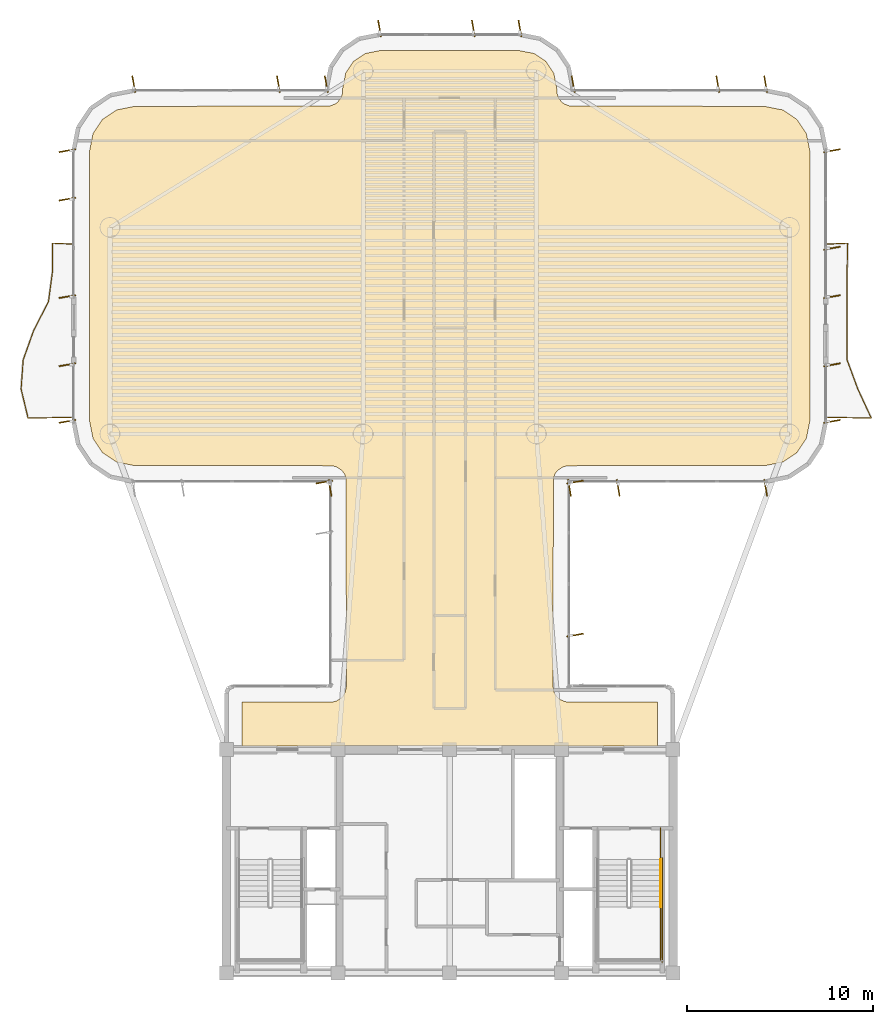
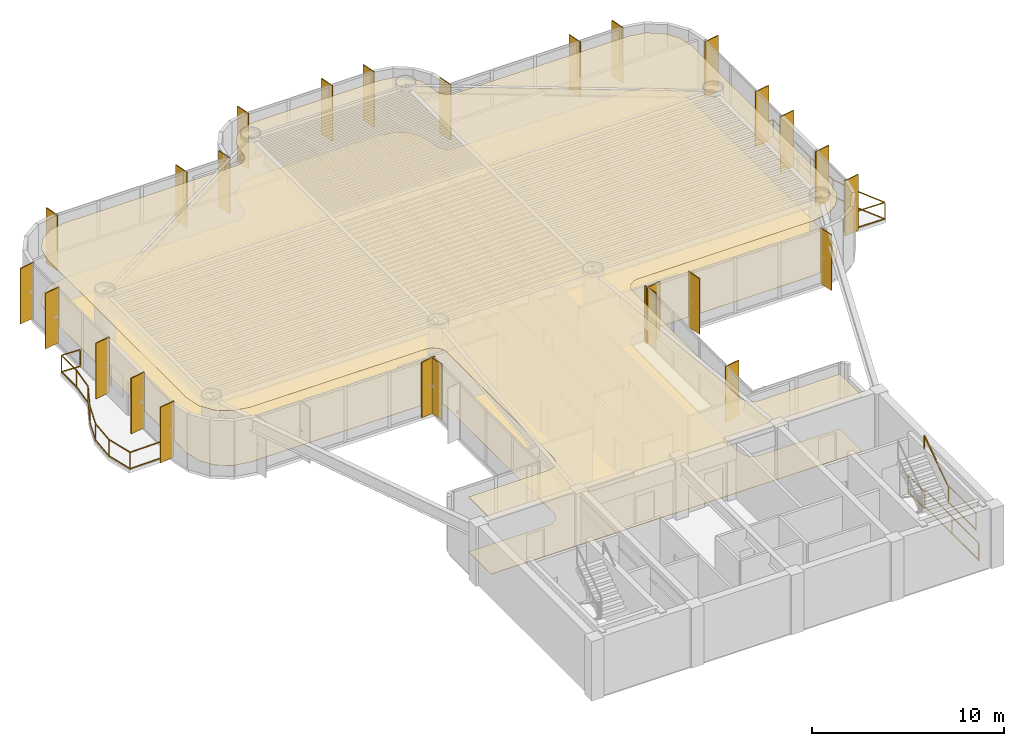
# One storey, part 13 of 13: 26 shading devices, 6 railings, 2 coverings.
"""IFC4 building model written with IfcOpenShell, lengths in metres."""

from ifc_helpers import new_model, si_unit, direction, frame, origin, origin_2d, place, context, subcontext, project, spatial, polyline, rectangle, outline, extrude, source, transform, mapped, material, layer, layer_set, material_profile, profile_set, type_object, element, save


model = new_model("IFC4")

# Units and contexts
model_context = context("Model", 3, precision=1e-05, world=origin(), true_north=direction((0.0, 1.0)))
body_context = subcontext(model_context, "Body", "Model", "MODEL_VIEW")
ifc_project = project(units=[si_unit("LENGTHUNIT", "METRE"), si_unit("AREAUNIT", "SQUARE_METRE"), si_unit("VOLUMEUNIT", "CUBIC_METRE"), si_unit("PLANEANGLEUNIT", "RADIAN"), si_unit("MASSUNIT", "GRAM", prefix="KILO")], contexts=[model_context])

# Site, building, storey
site_placement = place(None, origin())
site = spatial("IfcSite", under=ifc_project, at=site_placement, CompositionType="ELEMENT")
building_placement = place(site_placement, origin())
building = spatial("IfcBuilding", under=site, at=building_placement, Name="Brelvock Crest Care Tower", CompositionType="ELEMENT")
storey_placement = place(building_placement, frame((0.0, 0.0, 186.659912109375)))
storey = spatial("IfcBuildingStorey", under=building, at=storey_placement, Name="L47", CompositionType="ELEMENT", Elevation=186.659912109375)

# Coverings
ifc_material_1 = material(Name="Mineral Fibre Acoustic Ceiling Tile", Category="gypsum")
ifc_layer_1 = layer(ifc_material_1, 0.02490234375, Name="COV-CLG1")
ifc_layer_set_1 = layer_set([ifc_layer_1], Name="Mineral Fibre Acoustic Ceiling Tile")
covering_type_1 = type_object("IfcCoveringType", Name="COV-CLG1", PredefinedType="CEILING", material=ifc_layer_set_1)
covering_1_placement = place(storey_placement, frame((0.0, 0.0, 3.47509765625)))
element("IfcCovering", 1, at=covering_1_placement, inside=storey, type_object=covering_type_1, Name="L47 Acoustic Suspended Ceiling 1", PredefinedType="CEILING", context=body_context, shape_type="SweptSolid", body=[
    extrude(outline(polyline([(24.85009765625, 18.199951171875), (47.14990234375, 18.199951171875), (47.14990234375, 20.550048828125), (42.316650390625, 20.55419921875), (42.1533203125, 20.586669921875), (41.927734375, 20.693359375), (41.742919921875, 20.86083984375), (41.61474609375, 21.07470703125), (41.550048828125, 21.39990234375), (41.56640625, 32.56591796875), (41.650390625, 32.80078125), (41.799072265625, 33.0009765625), (42.07470703125, 33.185302734375), (42.316650390625, 33.245849609375), (52.916259765625, 33.25), (53.892822265625, 33.4443359375), (54.64990234375, 33.9501953125), (55.15576171875, 34.70703125), (55.35009765625, 35.68359375), (55.35009765625, 50.1162109375), (55.15576171875, 51.093017578125), (54.64990234375, 51.849853515625), (53.892822265625, 52.355712890625), (52.916259765625, 52.550048828125), (42.43408203125, 52.56640625), (42.127685546875, 52.693359375), (41.9990234375, 52.799072265625), (41.850341796875, 52.999267578125), (41.766357421875, 53.234130859375), (41.75, 53.516357421875), (41.586181640625, 54.33984375), (41.1669921875, 54.967041015625), (40.539794921875, 55.38623046875), (39.71630859375, 55.550048828125), (32.28369140625, 55.550048828125), (31.460205078125, 55.38623046875), (30.8330078125, 54.967041015625), (30.413818359375, 54.33984375), (30.25, 53.516357421875), (30.233642578125, 53.234130859375), (30.149658203125, 52.999267578125), (30.0009765625, 52.799072265625), (29.872314453125, 52.693359375), (29.56591796875, 52.56640625), (19.083740234375, 52.550048828125), (18.107177734375, 52.355712890625), (17.35009765625, 51.849853515625), (16.84423828125, 51.093017578125), (16.64990234375, 50.1162109375), (16.64990234375, 35.68359375), (16.84423828125, 34.70703125), (17.35009765625, 33.9501953125), (18.107177734375, 33.4443359375), (19.083740234375, 33.25), (29.683349609375, 33.245849609375), (29.92529296875, 33.185302734375), (30.200927734375, 33.0009765625), (30.349609375, 32.80078125), (30.43359375, 32.56591796875), (30.449951171875, 21.39990234375), (30.38525390625, 21.07470703125), (30.257080078125, 20.86083984375), (30.13916015625, 20.742919921875), (29.92529296875, 20.61474609375), (29.683349609375, 20.55419921875), (24.85009765625, 20.550048828125), (24.85009765625, 18.199951171875)])), origin(), (0.0, 0.0, 1.0), 0.02490234375),
])
ifc_material_2 = material(Name="Slip-Resistant Acoustic Vinyl Flooring", Category="finish")
ifc_layer_2 = layer(ifc_material_2, 0.014892578125, Name="COV-FLR1")
ifc_layer_set_2 = layer_set([ifc_layer_2], Name="Slip-Resistant Acoustic Vinyl Flooring")
covering_type_2 = type_object("IfcCoveringType", Name="COV-FLR1", PredefinedType="FLOORING", material=ifc_layer_set_2)
covering_2_placement = place(storey_placement, origin())
element("IfcCovering", 2, at=covering_2_placement, inside=storey, type_object=covering_type_2, Name="L47 Slip-Resistant Acoustic Flooring 1", PredefinedType="FLOORING", context=body_context, shape_type="SweptSolid", body=[
    extrude(outline(polyline([(24.85009765625, 18.199951171875), (47.14990234375, 18.199951171875), (47.14990234375, 20.550048828125), (42.316650390625, 20.55419921875), (42.1533203125, 20.586669921875), (41.927734375, 20.693359375), (41.742919921875, 20.86083984375), (41.61474609375, 21.07470703125), (41.550048828125, 21.39990234375), (41.56640625, 32.56591796875), (41.650390625, 32.80078125), (41.799072265625, 33.0009765625), (42.07470703125, 33.185302734375), (42.316650390625, 33.245849609375), (52.916259765625, 33.25), (53.892822265625, 33.4443359375), (54.64990234375, 33.9501953125), (55.15576171875, 34.70703125), (55.35009765625, 35.68359375), (55.35009765625, 50.1162109375), (55.15576171875, 51.093017578125), (54.64990234375, 51.849853515625), (53.892822265625, 52.355712890625), (52.916259765625, 52.550048828125), (42.43408203125, 52.56640625), (42.127685546875, 52.693359375), (41.9990234375, 52.799072265625), (41.850341796875, 52.999267578125), (41.766357421875, 53.234130859375), (41.75, 53.516357421875), (41.586181640625, 54.33984375), (41.1669921875, 54.967041015625), (40.539794921875, 55.38623046875), (39.71630859375, 55.550048828125), (32.28369140625, 55.550048828125), (31.460205078125, 55.38623046875), (30.8330078125, 54.967041015625), (30.413818359375, 54.33984375), (30.25, 53.516357421875), (30.233642578125, 53.234130859375), (30.149658203125, 52.999267578125), (30.0009765625, 52.799072265625), (29.872314453125, 52.693359375), (29.56591796875, 52.56640625), (19.083740234375, 52.550048828125), (18.107177734375, 52.355712890625), (17.35009765625, 51.849853515625), (16.84423828125, 51.093017578125), (16.64990234375, 50.1162109375), (16.64990234375, 35.68359375), (16.84423828125, 34.70703125), (17.35009765625, 33.9501953125), (18.107177734375, 33.4443359375), (19.083740234375, 33.25), (29.683349609375, 33.245849609375), (29.92529296875, 33.185302734375), (30.200927734375, 33.0009765625), (30.349609375, 32.80078125), (30.43359375, 32.56591796875), (30.449951171875, 21.39990234375), (30.38525390625, 21.07470703125), (30.257080078125, 20.86083984375), (30.13916015625, 20.742919921875), (29.92529296875, 20.61474609375), (29.683349609375, 20.55419921875), (24.85009765625, 20.550048828125), (24.85009765625, 18.199951171875)])), origin(), (0.0, 0.0, 1.0), 0.01513671875),
])

# Railings
ifc_material_3 = material(Name="Dark Glass Double Glazed Low-E", Category="glass")
ifc_layer_3 = layer(ifc_material_3, 0.06005859375, Name="RL-BAL1")
ifc_layer_set_3 = layer_set([ifc_layer_3], Name="Dark Glass Double Glazed Low-E")
railing_type_1 = type_object("IfcRailingType", Name="RL-BAL1", PredefinedType="BALUSTRADE", material=ifc_layer_set_3)
railing_1_placement = place(storey_placement, frame((15.760009765625, 35.85009765625, 0.004150390625)))
element("IfcRailing", 3, at=railing_1_placement, inside=storey, type_object=railing_type_1, Name="L47 Safety Balustrade WB-W", PredefinedType="BALUSTRADE", context=body_context, shape_type="SweptSolid", body=[
    extrude(rectangle(XDim=0.048095703125, YDim=0.048095703125, at=origin_2d()), frame((-0.001953125, 0.0, 1.09619140625), z_axis=(-0.999783452903, -0.020809788592, 0.0), x_axis=(0.020809788592, -0.999783452903, 0.0)), (0.0, 0.0, 1.0), 2.401123046875),
    extrude(rectangle(XDim=0.048095703125, YDim=0.048095703125, at=origin_2d()), frame((-0.001953125, 0.0, 0.054931640625), z_axis=(-0.999783452903, -0.020809788592, 0.0), x_axis=(0.020809788592, -0.999783452903, 0.0)), (0.0, 0.0, 1.0), 2.401123046875),
    extrude(rectangle(XDim=0.048095703125, YDim=0.048095703125, at=origin_2d()), frame((-2.405029296875, -0.048095703125, 1.09619140625), z_axis=(-0.233361490021, 0.972390052898, 0.0), x_axis=(-0.972390052898, -0.233361490021, 0.0)), (0.0, 0.0, 1.0), 1.607177734375),
    extrude(rectangle(XDim=0.048095703125, YDim=0.048095703125, at=origin_2d()), frame((-2.405029296875, -0.048095703125, 0.054931640625), z_axis=(-0.233361490021, 0.972390052898, 0.0), x_axis=(-0.972390052898, -0.233361490021, 0.0)), (0.0, 0.0, 1.0), 1.607177734375),
    extrude(rectangle(XDim=0.048095703125, YDim=0.048095703125, at=origin_2d()), frame((-2.7802734375, 1.5185546875, 1.09619140625), z_axis=(0.071346467425, 0.997451593605, 0.0), x_axis=(-0.997451593605, 0.071346467425, 0.0)), (0.0, 0.0, 1.0), 1.566650390625),
    extrude(rectangle(XDim=0.048095703125, YDim=0.048095703125, at=origin_2d()), frame((-2.7802734375, 1.5185546875, 0.054931640625), z_axis=(0.071346467425, 0.997451593605, 0.0), x_axis=(-0.997451593605, 0.071346467425, 0.0)), (0.0, 0.0, 1.0), 1.566650390625),
    extrude(rectangle(XDim=0.048095703125, YDim=0.048095703125, at=origin_2d()), frame((-2.667724609375, 3.085205078125, 1.09619140625), z_axis=(0.335973745247, 0.941871351356, 0.0), x_axis=(-0.941871351356, 0.335973745247, 0.0)), (0.0, 0.0, 1.0), 1.659423828125),
    extrude(rectangle(XDim=0.048095703125, YDim=0.048095703125, at=origin_2d()), frame((-2.667724609375, 3.085205078125, 0.054931640625), z_axis=(0.335973745247, 0.941871351356, 0.0), x_axis=(-0.941871351356, 0.335973745247, 0.0)), (0.0, 0.0, 1.0), 1.659423828125),
    extrude(rectangle(XDim=0.048095703125, YDim=0.048095703125, at=origin_2d()), frame((-2.108642578125, 4.651611328125, 1.09619140625), z_axis=(0.4551330635, 0.890423435512, 0.0), x_axis=(-0.890423435512, 0.4551330635, 0.0)), (0.0, 0.0, 1.0), 1.75537109375),
    extrude(rectangle(XDim=0.048095703125, YDim=0.048095703125, at=origin_2d()), frame((-2.108642578125, 4.651611328125, 0.054931640625), z_axis=(0.4551330635, 0.890423435512, 0.0), x_axis=(-0.890423435512, 0.4551330635, 0.0)), (0.0, 0.0, 1.0), 1.75537109375),
    extrude(rectangle(XDim=0.048095703125, YDim=0.048095703125, at=origin_2d()), frame((-1.30859375, 6.218505859375, 1.09619140625), z_axis=(0.132072655877, 0.99124003832, 0.0), x_axis=(-0.99124003832, 0.132072655877, 0.0)), (0.0, 0.0, 1.0), 1.576416015625),
    extrude(rectangle(XDim=0.048095703125, YDim=0.048095703125, at=origin_2d()), frame((-1.30859375, 6.218505859375, 0.054931640625), z_axis=(0.132072655877, 0.99124003832, 0.0), x_axis=(-0.99124003832, 0.132072655877, 0.0)), (0.0, 0.0, 1.0), 1.576416015625),
    extrude(rectangle(XDim=0.048095703125, YDim=0.048095703125, at=origin_2d()), frame((-1.10009765625, 7.78515625, 1.09619140625), z_axis=(0.0, 1.0, 0.0), x_axis=(-1.0, 0.0, 0.0)), (0.0, 0.0, 1.0), 1.562744140625),
    extrude(rectangle(XDim=0.048095703125, YDim=0.048095703125, at=origin_2d()), frame((-1.10009765625, 7.78515625, 0.054931640625), z_axis=(0.0, 1.0, 0.0), x_axis=(-1.0, 0.0, 0.0)), (0.0, 0.0, 1.0), 1.562744140625),
    extrude(rectangle(XDim=0.048095703125, YDim=0.048095703125, at=origin_2d()), frame((-1.09814453125, 9.349853515625, 1.09619140625), z_axis=(0.998966710972, -0.045447886318, 0.0), x_axis=(0.045447886318, 0.998966710972, 0.0)), (0.0, 0.0, 1.0), 1.09716796875),
    extrude(rectangle(XDim=0.048095703125, YDim=0.048095703125, at=origin_2d()), frame((-1.09814453125, 9.349853515625, 0.054931640625), z_axis=(0.998966710972, -0.045447886318, 0.0), x_axis=(0.045447886318, 0.998966710972, 0.0)), (0.0, 0.0, 1.0), 1.09716796875),
    extrude(rectangle(XDim=0.0419921875, YDim=0.0419921875, at=origin_2d()), origin(), (0.0, 0.0, 1.0), 1.070068359375),
    extrude(rectangle(XDim=0.0419921875, YDim=0.0419921875, at=origin_2d()), frame((-2.404541015625, -0.050048828125, 0.0)), (0.0, 0.0, 1.0), 1.070068359375),
    extrude(rectangle(XDim=0.0419921875, YDim=0.0419921875, at=origin_2d()), frame((-2.780517578125, 1.5166015625, 0.0)), (0.0, 0.0, 1.0), 1.070068359375),
    extrude(rectangle(XDim=0.0419921875, YDim=0.0419921875, at=origin_2d()), frame((-2.66845703125, 3.083251953125, 0.0)), (0.0, 0.0, 1.0), 1.070068359375),
    extrude(rectangle(XDim=0.0419921875, YDim=0.0419921875, at=origin_2d()), frame((-2.109619140625, 4.64990234375, 0.0)), (0.0, 0.0, 1.0), 1.070068359375),
    extrude(rectangle(XDim=0.0419921875, YDim=0.0419921875, at=origin_2d()), frame((-1.308837890625, 6.216552734375, 0.0)), (0.0, 0.0, 1.0), 1.070068359375),
    extrude(rectangle(XDim=0.0419921875, YDim=0.0419921875, at=origin_2d()), frame((-1.10009765625, 7.783203125, 0.0)), (0.0, 0.0, 1.0), 1.070068359375),
    extrude(rectangle(XDim=0.0419921875, YDim=0.0419921875, at=origin_2d()), frame((-1.10009765625, 9.349853515625, 0.0)), (0.0, 0.0, 1.0), 1.070068359375),
    extrude(rectangle(XDim=0.0419921875, YDim=0.0419921875, at=origin_2d()), frame((0.0, 9.2998046875, 0.0)), (0.0, 0.0, 1.0), 1.070068359375),
])
railing_2_placement = place(storey_placement, frame((56.239990234375, 35.85009765625, 0.004150390625)))
element("IfcRailing", 4, at=railing_2_placement, inside=storey, type_object=railing_type_1, Name="L47 Safety Balustrade WB-E", PredefinedType="BALUSTRADE", context=body_context, shape_type="SweptSolid", body=[
    extrude(rectangle(XDim=0.048095703125, YDim=0.048095703125, at=origin_2d()), frame((0.001953125, 0.0, 1.09619140625), z_axis=(0.999783452903, -0.020809788592, 0.0), x_axis=(0.020809788592, 0.999783452903, 0.0)), (0.0, 0.0, 1.0), 2.401123046875),
    extrude(rectangle(XDim=0.048095703125, YDim=0.048095703125, at=origin_2d()), frame((0.001953125, 0.0, 0.054931640625), z_axis=(0.999783452903, -0.020809788592, 0.0), x_axis=(0.020809788592, 0.999783452903, 0.0)), (0.0, 0.0, 1.0), 2.401123046875),
    extrude(rectangle(XDim=0.048095703125, YDim=0.048095703125, at=origin_2d()), frame((2.40380859375, -0.04833984375, 1.09619140625), z_axis=(-0.42037583984, 0.907350072066, 0.0), x_axis=(-0.907350072066, -0.42037583984, 0.0)), (0.0, 0.0, 1.0), 1.72265625),
    extrude(rectangle(XDim=0.048095703125, YDim=0.048095703125, at=origin_2d()), frame((2.40380859375, -0.04833984375, 0.054931640625), z_axis=(-0.42037583984, 0.907350072066, 0.0), x_axis=(-0.907350072066, -0.42037583984, 0.0)), (0.0, 0.0, 1.0), 1.72265625),
    extrude(rectangle(XDim=0.048095703125, YDim=0.048095703125, at=origin_2d()), frame((1.677978515625, 1.5185546875, 1.09619140625), z_axis=(-0.346457206502, 0.938065778111, 0.0), x_axis=(-0.938065778111, -0.346457206502, 0.0)), (0.0, 0.0, 1.0), 1.666015625),
    extrude(rectangle(XDim=0.048095703125, YDim=0.048095703125, at=origin_2d()), frame((1.677978515625, 1.5185546875, 0.054931640625), z_axis=(-0.346457206502, 0.938065778111, 0.0), x_axis=(-0.938065778111, -0.346457206502, 0.0)), (0.0, 0.0, 1.0), 1.666015625),
    extrude(rectangle(XDim=0.048095703125, YDim=0.048095703125, at=origin_2d()), frame((1.10009765625, 3.085205078125, 1.09619140625), z_axis=(0.0, 1.0, 0.0), x_axis=(-1.0, 0.0, 0.0)), (0.0, 0.0, 1.0), 4.696044921875),
    extrude(rectangle(XDim=0.048095703125, YDim=0.048095703125, at=origin_2d()), frame((1.10009765625, 3.085205078125, 0.054931640625), z_axis=(0.0, 1.0, 0.0), x_axis=(-1.0, 0.0, 0.0)), (0.0, 0.0, 1.0), 4.696044921875),
    extrude(rectangle(XDim=0.048095703125, YDim=0.048095703125, at=origin_2d()), frame((1.10009765625, 7.78515625, 1.09619140625), z_axis=(0.022123304576, 0.999755249746, 0.0), x_axis=(-0.999755249746, 0.022123304576, 0.0)), (0.0, 0.0, 1.0), 1.56298828125),
    extrude(rectangle(XDim=0.048095703125, YDim=0.048095703125, at=origin_2d()), frame((1.10009765625, 7.78515625, 0.054931640625), z_axis=(0.022123304576, 0.999755249746, 0.0), x_axis=(-0.999755249746, 0.022123304576, 0.0)), (0.0, 0.0, 1.0), 1.56298828125),
    extrude(rectangle(XDim=0.048095703125, YDim=0.048095703125, at=origin_2d()), frame((1.1328125, 9.349853515625, 1.09619140625), z_axis=(-0.99902879157, -0.044062156255, 0.0), x_axis=(0.044062156255, -0.99902879157, 0.0)), (0.0, 0.0, 1.0), 1.1318359375),
    extrude(rectangle(XDim=0.048095703125, YDim=0.048095703125, at=origin_2d()), frame((1.1328125, 9.349853515625, 0.054931640625), z_axis=(-0.99902879157, -0.044062156255, 0.0), x_axis=(0.044062156255, -0.99902879157, 0.0)), (0.0, 0.0, 1.0), 1.1318359375),
    extrude(rectangle(XDim=0.0419921875, YDim=0.0419921875, at=origin_2d()), origin(), (0.0, 0.0, 1.0), 1.070068359375),
    extrude(rectangle(XDim=0.0419921875, YDim=0.0419921875, at=origin_2d()), frame((2.404541015625, -0.050048828125, 0.0)), (0.0, 0.0, 1.0), 1.070068359375),
    extrude(rectangle(XDim=0.0419921875, YDim=0.0419921875, at=origin_2d()), frame((1.6787109375, 1.5166015625, 0.0)), (0.0, 0.0, 1.0), 1.070068359375),
    extrude(rectangle(XDim=0.0419921875, YDim=0.0419921875, at=origin_2d()), frame((1.10009765625, 3.083251953125, 0.0)), (0.0, 0.0, 1.0), 1.070068359375),
    extrude(rectangle(XDim=0.0419921875, YDim=0.0419921875, at=origin_2d()), frame((1.10009765625, 5.43310546875, 0.0)), (0.0, 0.0, 1.0), 1.070068359375),
    extrude(rectangle(XDim=0.0419921875, YDim=0.0419921875, at=origin_2d()), frame((1.10009765625, 7.783203125, 0.0)), (0.0, 0.0, 1.0), 1.070068359375),
    extrude(rectangle(XDim=0.0419921875, YDim=0.0419921875, at=origin_2d()), frame((1.134765625, 9.349853515625, 0.0)), (0.0, 0.0, 1.0), 1.070068359375),
    extrude(rectangle(XDim=0.0419921875, YDim=0.0419921875, at=origin_2d()), frame((0.0, 9.2998046875, 0.0)), (0.0, 0.0, 1.0), 1.070068359375),
])
ifc_material_4 = material(Name="Steel Grade 350", Category="steel")
ifc_layer_4 = layer(ifc_material_4, 0.050048828125, Name="RL-STG1")
ifc_layer_set_4 = layer_set([ifc_layer_4], Name="Steel Grade 350")
railing_type_2 = type_object("IfcRailingType", Name="RL-STG1", PredefinedType="GUARDRAIL", material=ifc_layer_set_4)
railing_3_placement = place(storey_placement, frame((47.320068359375, 9.56005859375, 1.89013671875)))
element("IfcRailing", 5, at=railing_3_placement, inside=storey, type_object=railing_type_2, Name="L47 ST-2 stair guard 4", PredefinedType="GUARDRAIL", context=body_context, shape_type="SweptSolid", body=[
    extrude(rectangle(XDim=0.048095703125, YDim=0.048095703125, at=origin_2d()), frame((0.0, -0.001953125, 1.11572265625), z_axis=(0.0, -1.0, 0.0), x_axis=(1.0, 0.0, 0.0)), (0.0, 0.0, 1.0), 2.856201171875),
    extrude(rectangle(XDim=0.048095703125, YDim=0.048095703125, at=origin_2d()), frame((0.0, -0.001953125, 0.054931640625), z_axis=(0.0, -1.0, 0.0), x_axis=(1.0, 0.0, 0.0)), (0.0, 0.0, 1.0), 2.856201171875),
    extrude(rectangle(XDim=0.0419921875, YDim=0.0419921875, at=origin_2d()), origin(), (0.0, 0.0, 1.0), 1.08984375),
    extrude(rectangle(XDim=0.0419921875, YDim=0.0419921875, at=origin_2d()), frame((0.0, -2.860107421875, 0.0)), (0.0, 0.0, 1.0), 1.08984375),
])
railing_4_placement = place(storey_placement, frame((47.320068359375, 13.780029296875, 0.0)))
element("IfcRailing", 6, at=railing_4_placement, inside=storey, type_object=railing_type_2, Name="L47 ST-2 stair guard 9", PredefinedType="GUARDRAIL", context=body_context, shape_type="SweptSolid", body=[
    extrude(rectangle(XDim=0.048095703125, YDim=0.048095703125, at=origin_2d()), frame((0.0, -0.001953125, 1.11572265625), z_axis=(0.0, -1.0, 0.0), x_axis=(1.0, 0.0, 0.0)), (0.0, 0.0, 1.0), 1.696044921875),
    extrude(rectangle(XDim=0.048095703125, YDim=0.048095703125, at=origin_2d()), frame((0.0, -0.001953125, 0.054931640625), z_axis=(0.0, -1.0, 0.0), x_axis=(1.0, 0.0, 0.0)), (0.0, 0.0, 1.0), 1.696044921875),
    extrude(rectangle(XDim=0.0419921875, YDim=0.0419921875, at=origin_2d()), origin(), (0.0, 0.0, 1.0), 1.08984375),
    extrude(rectangle(XDim=0.0419921875, YDim=0.0419921875, at=origin_2d()), frame((0.0, -1.699951171875, 0.0)), (0.0, 0.0, 1.0), 1.08984375),
])
railing_5_placement = place(storey_placement, frame((47.419921875, 12.179931640625, 0.0)))
element("IfcRailing", 7, at=railing_5_placement, inside=storey, type_object=railing_type_2, Name="L47 ST-2 stair guard 11", PredefinedType="GUARDRAIL", context=body_context, shape_type="SweptSolid", body=[
    extrude(rectangle(XDim=0.048095703125, YDim=0.048095703125, at=origin_2d()), frame((0.0, -0.001953125, 1.11572265625), z_axis=(0.0, -1.0, 0.0), x_axis=(1.0, 0.0, 0.0)), (0.0, 0.0, 1.0), 5.575927734375),
    extrude(rectangle(XDim=0.048095703125, YDim=0.048095703125, at=origin_2d()), frame((0.0, -0.001953125, 0.054931640625), z_axis=(0.0, -1.0, 0.0), x_axis=(1.0, 0.0, 0.0)), (0.0, 0.0, 1.0), 5.575927734375),
    extrude(rectangle(XDim=0.0419921875, YDim=0.0419921875, at=origin_2d()), origin(), (0.0, 0.0, 1.0), 1.08984375),
    extrude(rectangle(XDim=0.0419921875, YDim=0.0419921875, at=origin_2d()), frame((0.0, -2.7900390625, 0.0)), (0.0, 0.0, 1.0), 1.08984375),
    extrude(rectangle(XDim=0.0419921875, YDim=0.0419921875, at=origin_2d()), frame((0.0, -5.579833984375, 0.0)), (0.0, 0.0, 1.0), 1.08984375),
])
ifc_layer_5 = layer(ifc_material_4, 0.048095703125, Name="RL-STH1")
ifc_layer_set_5 = layer_set([ifc_layer_5], Name="Steel Grade 350")
railing_type_3 = type_object("IfcRailingType", Name="RL-STH1", PredefinedType="HANDRAIL", material=ifc_layer_set_5)
railing_6_placement = place(storey_placement, frame((47.320068359375, 9.56005859375, 2.0791015625)))
element("IfcRailing", 8, at=railing_6_placement, inside=storey, type_object=railing_type_3, Name="L47 ST-2 stair handrail 2", PredefinedType="HANDRAIL", context=body_context, shape_type="SweptSolid", body=[
    extrude(rectangle(XDim=0.048095703125, YDim=0.048095703125, at=origin_2d()), frame((0.0, 0.001708984375, 0.876953125), z_axis=(0.0, 0.828861706735, 0.559453546873), x_axis=(-1.0, 0.0, 0.0)), (0.0, 0.0, 1.0), 3.036376953125),
    extrude(rectangle(XDim=0.0419921875, YDim=0.0419921875, at=origin_2d()), origin(), (0.0, 0.0, 1.0), 0.849853515625),
    extrude(rectangle(XDim=0.0419921875, YDim=0.0419921875, at=origin_2d()), frame((0.0, 2.52001953125, 1.700927734375)), (0.0, 0.0, 1.0), 0.849853515625),
])

# Shading devices
ifc_material_5 = material(Name="Aluminium 6063-T6", Category="aluminium")
ifc_material_profile = material_profile(ifc_material_5, rectangle(XDim=0.054931640625, YDim=0.89990234375, at=origin_2d()), Name="FIN55x900")
ifc_profile_set = profile_set([ifc_material_profile], Name="Aluminium 6063-T6")
shading_device_type = type_object("IfcShadingDeviceType", Name="SHD-FIN1", PredefinedType="USERDEFINED", material=ifc_profile_set)
shared_shape = source(origin(), body_context, "Body", "SweptSolid", [
    extrude(rectangle(XDim=0.054931640625, YDim=0.89990234375, at=origin_2d()), origin(), (0.0, 0.0, 1.0), 3.530029296875),
])
for number, where, z_axis, x_axis, name in (
    (9, (29.260009765625, 32.3701171875, 0.0), (0.0, 0.0, 1.0), (-0.173648177667, 0.984807753012, 0.0), "L47 Vertical Sunshade Fin E11-05"),
    (10, (29.570068359375, 32.06005859375, 0.0), (0.0, 0.0, 1.0), (-0.984807753012, -0.173648177667, 0.0), "L47 Vertical Sunshade Fin E12-01"),
    (11, (15.4599609375, 35.6298828125, 0.0), (0.0, 0.0, 1.0), (-0.173648177667, 0.984807753012, 0.0), "L47 Vertical Sunshade Fin E17A-01"),
    (12, (15.4599609375, 38.669921875, 0.0), (0.0, 0.0, 1.0), (-0.173648177667, 0.984807753012, 0.0), "L47 Vertical Sunshade Fin E17A-02"),
    (13, (15.4599609375, 42.330078125, 0.0), (0.0, 0.0, 1.0), (-0.173648177667, 0.984807753012, 0.0), "L47 Vertical Sunshade Fin E17B-01"),
    (14, (15.4599609375, 47.566650390625, 0.0), (0.0, 0.0, 1.0), (-0.173648177667, 0.984807753012, 0.0), "L47 Vertical Sunshade Fin E17B-03"),
    (15, (15.4599609375, 50.169921875, 0.0), (0.0, 0.0, 1.0), (-0.173648177667, 0.984807753012, 0.0), "L47 Vertical Sunshade Fin E17B-04"),
    (16, (19.030029296875, 53.739990234375, 0.0), (0.0, 0.0, 1.0), (0.984807753012, 0.173648177667, 0.0), "L47 Vertical Sunshade Fin E22-01"),
    (17, (26.800048828125, 53.739990234375, 0.0), (0.0, 0.0, 1.0), (0.984807753012, 0.173648177667, 0.0), "L47 Vertical Sunshade Fin E22-04"),
    (18, (29.3701171875, 53.739990234375, 0.0), (0.0, 0.0, 1.0), (0.984807753012, 0.173648177667, 0.0), "L47 Vertical Sunshade Fin E22-05"),
    (19, (32.22998046875, 56.739990234375, 0.0), (0.0, 0.0, 1.0), (0.984807753012, 0.173648177667, 0.0), "L47 Vertical Sunshade Fin E28-01"),
    (20, (37.2666015625, 56.739990234375, 0.0), (0.0, 0.0, 1.0), (0.984807753012, 0.173648177667, 0.0), "L47 Vertical Sunshade Fin E28-03"),
    (21, (39.77001953125, 56.739990234375, 0.0), (0.0, 0.0, 1.0), (0.984807753012, 0.173648177667, 0.0), "L47 Vertical Sunshade Fin E28-04"),
    (22, (42.6298828125, 53.739990234375, 0.0), (0.0, 0.0, 1.0), (0.984807753012, 0.173648177667, 0.0), "L47 Vertical Sunshade Fin E34-01"),
    (23, (50.39990234375, 53.739990234375, 0.0), (0.0, 0.0, 1.0), (0.984807753012, 0.173648177667, 0.0), "L47 Vertical Sunshade Fin E34-04"),
    (24, (52.969970703125, 53.739990234375, 0.0), (0.0, 0.0, 1.0), (0.984807753012, 0.173648177667, 0.0), "L47 Vertical Sunshade Fin E34-05"),
    (25, (56.5400390625, 50.169921875, 0.0), (0.0, 0.0, 1.0), (0.173648177667, -0.984807753012, 0.0), "L47 Vertical Sunshade Fin E39A-01"),
    (26, (56.5400390625, 44.933349609375, 0.0), (0.0, 0.0, 1.0), (0.173648177667, -0.984807753012, 0.0), "L47 Vertical Sunshade Fin E39A-03"),
    (27, (56.5400390625, 42.330078125, 0.0), (0.0, 0.0, 1.0), (0.173648177667, -0.984807753012, 0.0), "L47 Vertical Sunshade Fin E39A-04"),
    (28, (56.5400390625, 38.669921875, 0.0), (0.0, 0.0, 1.0), (0.173648177667, -0.984807753012, 0.0), "L47 Vertical Sunshade Fin E39B-01"),
    (29, (56.5400390625, 35.6298828125, 0.0), (0.0, 0.0, 1.0), (0.173648177667, -0.984807753012, 0.0), "L47 Vertical Sunshade Fin E39B-02"),
    (30, (52.969970703125, 32.06005859375, 0.0), (0.0, 0.0, 1.0), (-0.984807753012, -0.173648177667, 0.0), "L47 Vertical Sunshade Fin E44-01"),
    (31, (45.050048828125, 32.06005859375, 0.0), (0.0, 0.0, 1.0), (-0.984807753012, -0.173648177667, 0.0), "L47 Vertical Sunshade Fin E44-04"),
    (32, (42.429931640625, 32.06005859375, 0.0), (0.0, 0.0, 1.0), (-0.984807753012, -0.173648177667, 0.0), "L47 Vertical Sunshade Fin E44-05"),
    (33, (42.739990234375, 32.3701171875, 0.0), (0.0, 0.0, 1.0), (0.173648177667, -0.984807753012, 0.0), "L47 Vertical Sunshade Fin E45-01"),
    (34, (42.739990234375, 24.14990234375, 0.0), (0.0, 0.0, 1.0), (0.173648177667, -0.984807753012, 0.0), "L47 Vertical Sunshade Fin E45-04"),
):
    element("IfcShadingDevice", number, at=place(storey_placement, frame(where, z_axis=z_axis, x_axis=x_axis)), inside=storey, type_object=shading_device_type, Name=name, ObjectType="FIN", PredefinedType="USERDEFINED", context=body_context, shape_type="MappedRepresentation", body=[
        mapped(shared_shape, transform((0.0, 0.0, 0.0), x_axis=(1.0, 0.0, 0.0), y_axis=(0.0, 1.0, 0.0), z_axis=(0.0, 0.0, 1.0), scale=1.0)),
    ])

save(model, "model.ifc")
